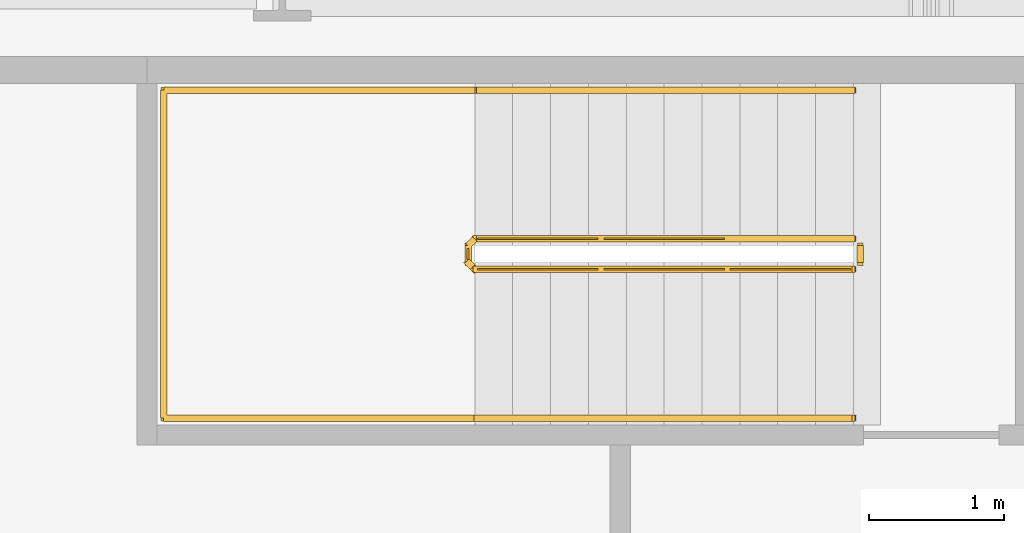
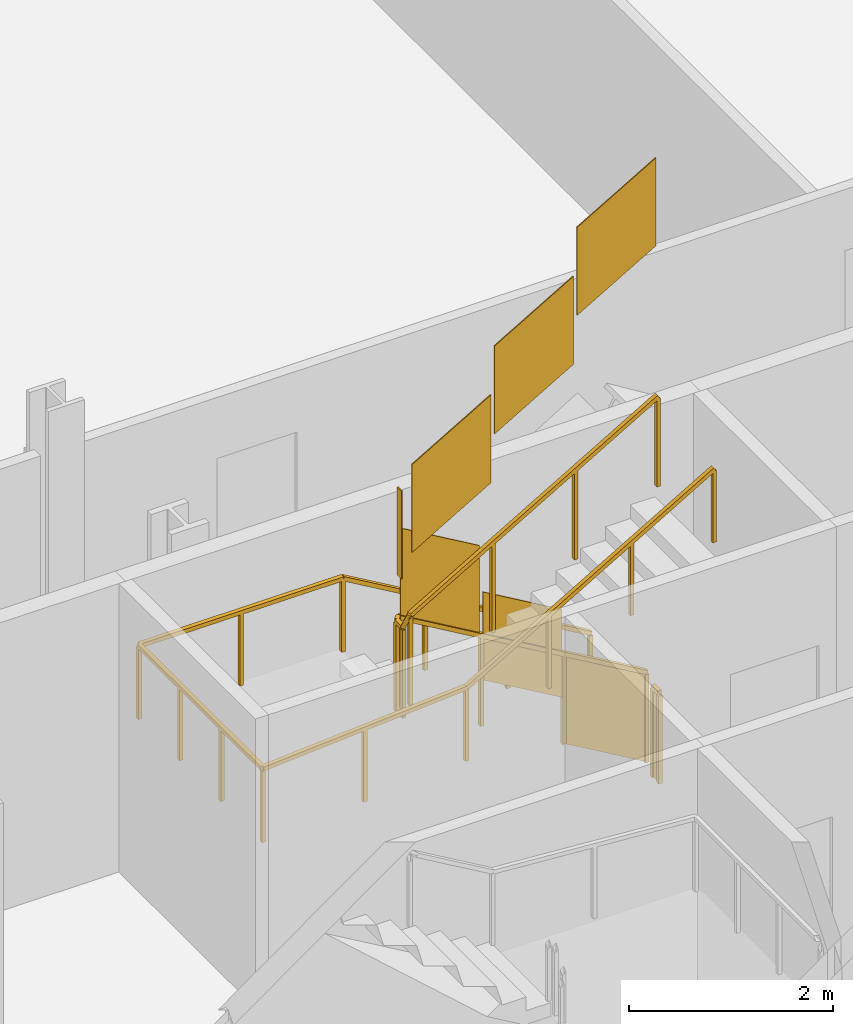
# One storey, part 18 of 21: 3 railings.
"""IFC4 building model written with IfcOpenShell, lengths in metres."""

from ifc_helpers import new_model, si_unit, direction, frame, origin, origin_2d, place, context, subcontext, project, spatial, polyline, rectangle, outline, extrude, material, type_object, element, save


model = new_model("IFC4")

# Units and contexts
model_context = context("Model", 3, precision=1e-05, world=origin(), true_north=direction((0.0, 1.0)))
body_context = subcontext(model_context, "Body", "Model", "MODEL_VIEW")
ifc_project = project(units=[si_unit("LENGTHUNIT", "METRE"), si_unit("AREAUNIT", "SQUARE_METRE"), si_unit("VOLUMEUNIT", "CUBIC_METRE"), si_unit("PLANEANGLEUNIT", "RADIAN"), si_unit("MASSUNIT", "GRAM", prefix="KILO")], contexts=[model_context])

# Site, building, storey
site_placement = place(None, origin())
site = spatial("IfcSite", under=ifc_project, at=site_placement, CompositionType="ELEMENT")
building_placement = place(site_placement, origin())
building = spatial("IfcBuilding", under=site, at=building_placement, Name="Cairn Pilgrim Tower", CompositionType="ELEMENT")
storey_placement = place(building_placement, frame((0.0, 0.0, 108.60009765625)))
storey = spatial("IfcBuildingStorey", under=building, at=storey_placement, Name="L26", CompositionType="ELEMENT", Elevation=108.60009765625)

# Railings
ifc_material = material(Name="Painted steel", Category="steel")
railing_type_1 = type_object("IfcRailingType", Name="STAIR GUARD 1100", PredefinedType="GUARDRAIL", material=ifc_material)
railing_1_placement = place(storey_placement, frame((11.425048828125, 8.949951171875, 0.16357421875)))
element("IfcRailing", 1, at=railing_1_placement, inside=storey, type_object=railing_type_1, Name="L26 ST-C stair guard 1", PredefinedType="GUARDRAIL", context=body_context, shape_type="SweptSolid", body=[
    extrude(rectangle(XDim=0.048095703125, YDim=0.048095703125, at=origin_2d()), frame((0.0, 0.0, 1.076171875), z_axis=(-0.863393664356, 0.0, 0.504530851732), x_axis=(0.0, -1.0, 0.0)), (0.0, 0.0, 1.0), 3.2431640625),
    extrude(rectangle(XDim=0.048095703125, YDim=0.048095703125, at=origin_2d()), frame((-2.800048828125, 0.0, 2.71240234375), z_axis=(-0.707106781187, -0.707106781187, 0.0), x_axis=(0.707106781187, -0.707106781187, 0.0)), (0.0, 0.0, 1.0), 0.07080078125),
    extrude(rectangle(XDim=0.048095703125, YDim=0.048095703125, at=origin_2d()), frame((-2.85009765625, -0.050048828125, 2.71240234375), z_axis=(0.0, -1.0, 0.0), x_axis=(1.0, 0.0, 0.0)), (0.0, 0.0, 1.0), 0.125),
    extrude(rectangle(XDim=0.048095703125, YDim=0.048095703125, at=origin_2d()), frame((-2.85009765625, -0.175048828125, 2.71240234375), z_axis=(0.280563532951, -0.279194930351, 0.91833234444), x_axis=(0.705375805398, 0.708833529934, 0.0)), (0.0, 0.0, 1.0), 0.178466796875),
    extrude(rectangle(XDim=0.048095703125, YDim=0.048095703125, at=origin_2d()), frame((-2.800048828125, -0.224853515625, 2.8759765625), z_axis=(0.863393664356, 0.0, 0.504530851732), x_axis=(0.0, 1.0, 0.0)), (0.0, 0.0, 1.0), 3.2431640625),
    extrude(rectangle(XDim=0.0419921875, YDim=0.0419921875, at=origin_2d()), origin(), (0.0, 0.0, 1.0), 1.052001953125),
    extrude(rectangle(XDim=0.0419921875, YDim=0.0419921875, at=origin_2d()), frame((-0.933349609375, 0.0, 0.54541015625)), (0.0, 0.0, 1.0), 1.052001953125),
    extrude(rectangle(XDim=0.0419921875, YDim=0.0419921875, at=origin_2d()), frame((-1.86669921875, 0.0, 1.0908203125)), (0.0, 0.0, 1.0), 1.052001953125),
    extrude(rectangle(XDim=0.0419921875, YDim=0.0419921875, at=origin_2d()), frame((-2.800048828125, 0.0, 1.63623046875)), (0.0, 0.0, 1.0), 1.052001953125),
    extrude(rectangle(XDim=0.0419921875, YDim=0.0419921875, at=origin_2d()), frame((-2.85009765625, -0.050048828125, 1.63623046875)), (0.0, 0.0, 1.0), 1.052001953125),
    extrude(rectangle(XDim=0.0419921875, YDim=0.0419921875, at=origin_2d()), frame((-2.85009765625, -0.175048828125, 1.63623046875)), (0.0, 0.0, 1.0), 1.052001953125),
    extrude(rectangle(XDim=0.0419921875, YDim=0.0419921875, at=origin_2d()), frame((-2.800048828125, -0.224853515625, 1.800048828125)), (0.0, 0.0, 1.0), 1.052001953125),
    extrude(rectangle(XDim=0.0419921875, YDim=0.0419921875, at=origin_2d()), frame((-1.86669921875, -0.224853515625, 2.345458984375)), (0.0, 0.0, 1.0), 1.052001953125),
    extrude(rectangle(XDim=0.0419921875, YDim=0.0419921875, at=origin_2d()), frame((-0.933349609375, -0.224853515625, 2.890869140625)), (0.0, 0.0, 1.0), 1.052001953125),
    extrude(rectangle(XDim=0.0419921875, YDim=0.0419921875, at=origin_2d()), frame((0.0, -0.224853515625, 3.436279296875)), (0.0, 0.0, 1.0), 1.052001953125),
    extrude(outline(polyline([(0.02099609375, 0.01220703125), (0.912353515625, 0.533203125), (0.912353515625, 1.585205078125), (0.02099609375, 1.064208984375), (0.02099609375, 0.01220703125)])), frame((0.0, -0.005859375, 0.0), z_axis=(0.0, 1.0, 0.0), x_axis=(-1.0, 0.0, 0.0)), (0.0, 0.0, 1.0), 0.011962890625),
    extrude(outline(polyline([(0.02099609375, 0.5576171875), (0.912353515625, 1.07861328125), (0.912353515625, 2.130615234375), (0.02099609375, 1.609619140625), (0.02099609375, 0.5576171875)])), frame((-0.933349609375, -0.005859375, 0.54541015625), z_axis=(0.0, 1.0, 0.0), x_axis=(-1.0, 0.0, 0.0)), (0.0, 0.0, 1.0), 0.011962890625),
    extrude(outline(polyline([(0.02099609375, 1.10302734375), (0.912353515625, 1.6240234375), (0.912353515625, 2.676025390625), (0.02099609375, 2.155029296875), (0.02099609375, 1.10302734375)])), frame((-1.86669921875, -0.005859375, 1.0908203125), z_axis=(0.0, 1.0, 0.0), x_axis=(-1.0, 0.0, 0.0)), (0.0, 0.0, 1.0), 0.011962890625),
    extrude(outline(polyline([(0.02099609375, 1.63623046875), (0.10400390625, 1.63623046875), (0.10400390625, 2.688232421875), (0.02099609375, 2.688232421875), (0.02099609375, 1.63623046875)])), frame((-2.84423828125, -0.050048828125, 1.63623046875), z_axis=(-1.0, 0.0, 0.0), x_axis=(0.0, -1.0, 0.0)), (0.0, 0.0, 1.0), 0.011962890625),
    extrude(outline(polyline([(0.02099609375, 1.812255859375), (0.912353515625, 2.333251953125), (0.912353515625, 3.38525390625), (0.02099609375, 2.8642578125), (0.02099609375, 1.812255859375)])), frame((-2.800048828125, -0.21875, 1.800048828125), z_axis=(0.0, -1.0, 0.0), x_axis=(1.0, 0.0, 0.0)), (0.0, 0.0, 1.0), 0.011962890625),
    extrude(outline(polyline([(0.02099609375, 2.357666015625), (0.912353515625, 2.878662109375), (0.912353515625, 3.9306640625), (0.02099609375, 3.40966796875), (0.02099609375, 2.357666015625)])), frame((-1.86669921875, -0.21875, 2.345458984375), z_axis=(0.0, -1.0, 0.0), x_axis=(1.0, 0.0, 0.0)), (0.0, 0.0, 1.0), 0.011962890625),
    extrude(outline(polyline([(0.02099609375, 2.903076171875), (0.912353515625, 3.424072265625), (0.912353515625, 4.47607421875), (0.02099609375, 3.955078125), (0.02099609375, 2.903076171875)])), frame((-0.933349609375, -0.21875, 2.890869140625), z_axis=(0.0, -1.0, 0.0), x_axis=(1.0, 0.0, 0.0)), (0.0, 0.0, 1.0), 0.011962890625),
])
railing_2_placement = place(storey_placement, frame((11.47509765625, 8.89990234375, 0.0)))
element("IfcRailing", 2, at=railing_2_placement, inside=storey, type_object=railing_type_1, Name="L26 ST-C stair guard 2", PredefinedType="GUARDRAIL", context=body_context, shape_type="SweptSolid", body=[
    extrude(rectangle(XDim=0.048095703125, YDim=0.048095703125, at=origin_2d()), frame((0.0, 0.0, 1.076171875), z_axis=(0.0, -1.0, 0.0), x_axis=(1.0, 0.0, 0.0)), (0.0, 0.0, 1.0), 0.125),
    extrude(rectangle(XDim=0.0419921875, YDim=0.0419921875, at=origin_2d()), origin(), (0.0, 0.0, 1.0), 1.052001953125),
    extrude(rectangle(XDim=0.0419921875, YDim=0.0419921875, at=origin_2d()), frame((0.0, -0.125, 0.0)), (0.0, 0.0, 1.0), 1.052001953125),
    extrude(outline(polyline([(0.02099609375, 0.0), (0.10400390625, 0.0), (0.10400390625, 1.052001953125), (0.02099609375, 1.052001953125), (0.02099609375, 0.0)])), frame((0.005859375, 0.0, 0.0), z_axis=(-1.0, 0.0, 0.0), x_axis=(0.0, -1.0, 0.0)), (0.0, 0.0, 1.0), 0.011962890625),
])
railing_type_2 = type_object("IfcRailingType", Name="STAIR HANDRAIL 900", PredefinedType="HANDRAIL", material=ifc_material)
railing_3_placement = place(storey_placement, frame((11.425048828125, 10.050048828125, 0.16357421875)))
element("IfcRailing", 3, at=railing_3_placement, inside=storey, type_object=railing_type_2, Name="L26 ST-C stair handrail 1", PredefinedType="HANDRAIL", context=body_context, shape_type="SweptSolid", body=[
    extrude(rectangle(XDim=0.048095703125, YDim=0.048095703125, at=origin_2d()), frame((0.0, 0.0, 0.8759765625), z_axis=(-0.863393664356, 0.0, 0.504530851732), x_axis=(0.0, -1.0, 0.0)), (0.0, 0.0, 1.0), 3.2431640625),
    extrude(rectangle(XDim=0.048095703125, YDim=0.048095703125, at=origin_2d()), frame((-2.800048828125, 0.0, 2.51220703125), z_axis=(-1.0, 0.0, 0.0), x_axis=(0.0, -1.0, 0.0)), (0.0, 0.0, 1.0), 2.300048828125),
    extrude(rectangle(XDim=0.048095703125, YDim=0.048095703125, at=origin_2d()), frame((-5.10009765625, 0.0, 2.51220703125), z_axis=(0.0, -1.0, 0.0), x_axis=(1.0, 0.0, 0.0)), (0.0, 0.0, 1.0), 2.425048828125),
    extrude(rectangle(XDim=0.048095703125, YDim=0.048095703125, at=origin_2d()), frame((-5.10009765625, -2.425048828125, 2.51220703125), z_axis=(0.99747319029, 0.0, 0.071043892441), x_axis=(0.0, 1.0, 0.0)), (0.0, 0.0, 1.0), 2.305908203125),
    extrude(rectangle(XDim=0.048095703125, YDim=0.048095703125, at=origin_2d()), frame((-2.800048828125, -2.425048828125, 2.67578125), z_axis=(0.863393664356, 0.0, 0.504530851732), x_axis=(0.0, 1.0, 0.0)), (0.0, 0.0, 1.0), 3.2431640625),
    extrude(rectangle(XDim=0.0419921875, YDim=0.0419921875, at=origin_2d()), origin(), (0.0, 0.0, 1.0), 0.851806640625),
    extrude(rectangle(XDim=0.0419921875, YDim=0.0419921875, at=origin_2d()), frame((-0.933349609375, 0.0, 0.54541015625)), (0.0, 0.0, 1.0), 0.851806640625),
    extrude(rectangle(XDim=0.0419921875, YDim=0.0419921875, at=origin_2d()), frame((-1.86669921875, 0.0, 1.0908203125)), (0.0, 0.0, 1.0), 0.851806640625),
    extrude(rectangle(XDim=0.0419921875, YDim=0.0419921875, at=origin_2d()), frame((-2.800048828125, 0.0, 1.63623046875)), (0.0, 0.0, 1.0), 0.851806640625),
    extrude(rectangle(XDim=0.0419921875, YDim=0.0419921875, at=origin_2d()), frame((-3.9501953125, 0.0, 1.63623046875)), (0.0, 0.0, 1.0), 0.851806640625),
    extrude(rectangle(XDim=0.0419921875, YDim=0.0419921875, at=origin_2d()), frame((-5.10009765625, 0.0, 1.63623046875)), (0.0, 0.0, 1.0), 0.851806640625),
    extrude(rectangle(XDim=0.0419921875, YDim=0.0419921875, at=origin_2d()), frame((-5.10009765625, -0.808349609375, 1.63623046875)), (0.0, 0.0, 1.0), 0.851806640625),
    extrude(rectangle(XDim=0.0419921875, YDim=0.0419921875, at=origin_2d()), frame((-5.10009765625, -1.61669921875, 1.63623046875)), (0.0, 0.0, 1.0), 0.851806640625),
    extrude(rectangle(XDim=0.0419921875, YDim=0.0419921875, at=origin_2d()), frame((-5.10009765625, -2.425048828125, 1.63623046875)), (0.0, 0.0, 1.0), 0.851806640625),
    extrude(rectangle(XDim=0.0419921875, YDim=0.0419921875, at=origin_2d()), frame((-3.9501953125, -2.425048828125, 1.71826171875)), (0.0, 0.0, 1.0), 0.851806640625),
    extrude(rectangle(XDim=0.0419921875, YDim=0.0419921875, at=origin_2d()), frame((-2.800048828125, -2.425048828125, 1.800048828125)), (0.0, 0.0, 1.0), 0.851806640625),
    extrude(rectangle(XDim=0.0419921875, YDim=0.0419921875, at=origin_2d()), frame((-1.86669921875, -2.425048828125, 2.345458984375)), (0.0, 0.0, 1.0), 0.851806640625),
    extrude(rectangle(XDim=0.0419921875, YDim=0.0419921875, at=origin_2d()), frame((-0.933349609375, -2.425048828125, 2.890869140625)), (0.0, 0.0, 1.0), 0.851806640625),
    extrude(rectangle(XDim=0.0419921875, YDim=0.0419921875, at=origin_2d()), frame((0.0, -2.425048828125, 3.436279296875)), (0.0, 0.0, 1.0), 0.851806640625),
])

save(model, "model.ifc")
